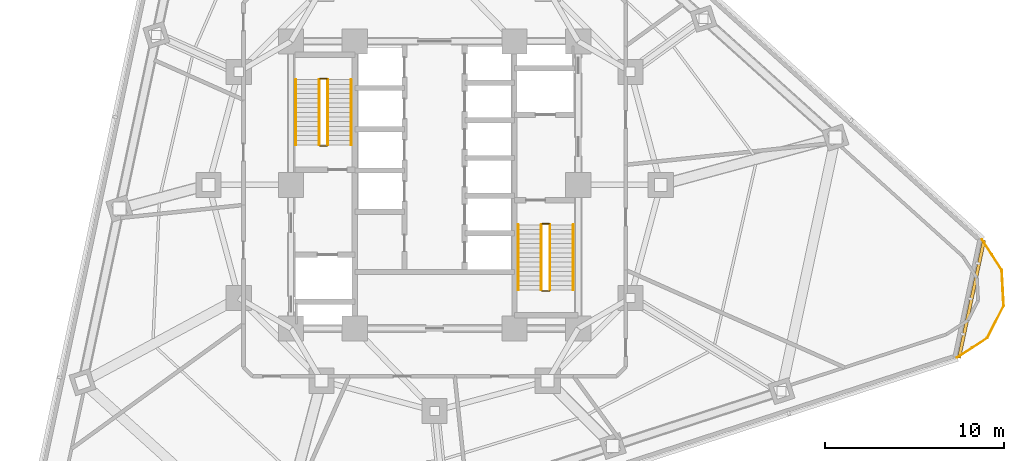
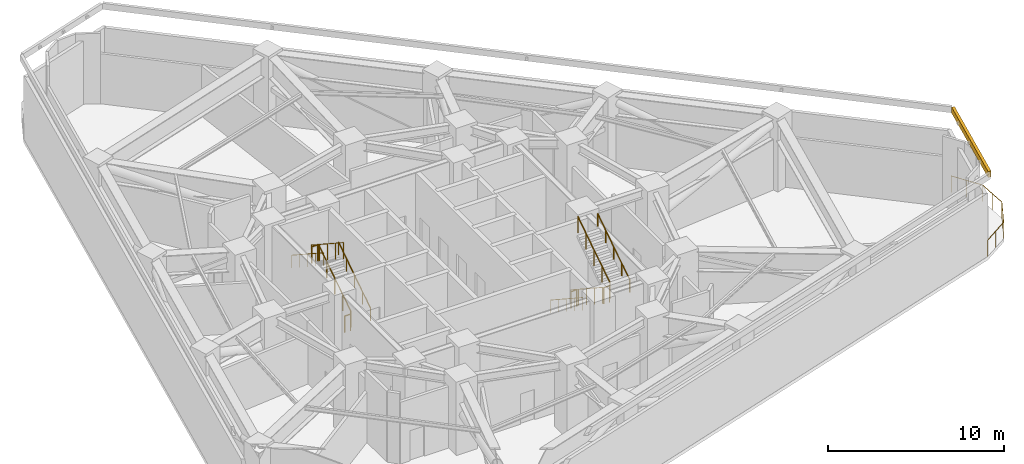
# One storey, part 9 of 10: 13 railings, 1 shading device.
"""IFC4 building model written with IfcOpenShell, lengths in metres."""

from ifc_helpers import new_model, si_unit, direction, frame, origin, origin_2d, place, context, subcontext, project, spatial, rectangle, circle, extrude, material, layer, layer_set, type_object, element, save


model = new_model("IFC4")

# Units and contexts
model_context = context("Model", 3, precision=1e-05, world=origin(), true_north=direction((0.0, 1.0)))
body_context = subcontext(model_context, "Body", "Model", "MODEL_VIEW")
ifc_project = project(units=[si_unit("LENGTHUNIT", "METRE"), si_unit("AREAUNIT", "SQUARE_METRE"), si_unit("VOLUMEUNIT", "CUBIC_METRE"), si_unit("PLANEANGLEUNIT", "RADIAN"), si_unit("MASSUNIT", "GRAM", prefix="KILO")], contexts=[model_context])

# Site, building, storey
site_placement = place(None, origin())
site = spatial("IfcSite", under=ifc_project, at=site_placement, CompositionType="ELEMENT")
building_placement = place(site_placement, origin())
building = spatial("IfcBuilding", under=site, at=building_placement, Name="Terralouvre Media Tower", CompositionType="ELEMENT")
storey_placement = place(building_placement, frame((0.0, 0.0, 85.199951171875)))
storey = spatial("IfcBuildingStorey", under=building, at=storey_placement, Name="L21", CompositionType="ELEMENT", Elevation=85.199951171875)

# Shading device
ifc_material_1 = material(Name="Extruded terracotta baguette sunshade louvres", Category="masonry")
shading_device_type = type_object("IfcShadingDeviceType", Name="Refuge Plant Acoustic Terracotta Louvre Grill TB-LV2", PredefinedType="JALOUSIE", material=ifc_material_1)
shading_device_placement = place(storey_placement, frame((29.915771484375, -6.35888671875, 5.486083984375), z_axis=(0.0, 0.0, 1.0), x_axis=(0.207911611348, 0.978147617626, 0.0)))
element("IfcShadingDevice", 1, at=shading_device_placement, inside=storey, type_object=shading_device_type, Name="CW-L21-C1 Refuge Acoustic Terracotta Louvre", PredefinedType="JALOUSIE", context=body_context, shape_type="SweptSolid", body=[
    extrude(rectangle(XDim=6.720458984375, YDim=0.179931640625, at=origin_2d()), origin(), (0.0, 0.0, 1.0), 0.419921875),
])

# Railings
ifc_material_2 = material(Name="Stainless steel 316 handrail and balustrade", Category="steel")
ifc_layer_1 = layer(ifc_material_2, 0.06005859375, Name="Roof Edge Safety Guardrail GR-ROOF1")
ifc_layer_set_1 = layer_set([ifc_layer_1], Name="Stainless steel 316 handrail and balustrade")
railing_type_1 = type_object("IfcRailingType", Name="Roof Edge Safety Guardrail GR-ROOF1", PredefinedType="GUARDRAIL", material=ifc_layer_set_1)
railing_1_placement = place(storey_placement, frame((29.105224609375, -9.6201171875, 0.0)))
element("IfcRailing", 2, at=railing_1_placement, inside=storey, type_object=railing_type_1, Name="L21 Wind-Corner Perimeter Safety Guardrail C1", PredefinedType="GUARDRAIL", context=body_context, shape_type="SweptSolid", body=[
    extrude(circle(Radius=0.02099609375, at=origin_2d()), frame((0.0, 0.0, 1.12890625), z_axis=(0.838760176544, 0.544501025016, 0.0), x_axis=(-0.544501025016, 0.838760176544, 0.0)), (0.0, 0.0, 1.0), 2.0078125),
    extrude(circle(Radius=0.02099609375, at=origin_2d()), frame((1.68408203125, 1.09326171875, 1.12890625), z_axis=(0.454107952828, 0.890946669099, 0.0), x_axis=(-0.890946669099, 0.454107952828, 0.0)), (0.0, 0.0, 1.0), 2.007568359375),
    extrude(circle(Radius=0.02099609375, at=origin_2d()), frame((2.595703125, 2.8818359375, 1.12890625), z_axis=(-0.052412032372, 0.998625544868, 0.0), x_axis=(-0.998625544868, -0.052412032372, 0.0)), (0.0, 0.0, 1.0), 2.007568359375),
    extrude(circle(Radius=0.02099609375, at=origin_2d()), frame((2.490478515625, 4.88671875, 1.12890625), z_axis=(-0.544868673015, 0.838521394579, 0.0), x_axis=(-0.838521394579, -0.544868673015, 0.0)), (0.0, 0.0, 1.0), 2.0078125),
    extrude(circle(Radius=0.01904296875, at=origin_2d()), origin(), (0.0, 0.0, 1.0), 1.10791015625),
    extrude(circle(Radius=0.01904296875, at=origin_2d()), frame((0.842041015625, 0.546630859375, 0.0)), (0.0, 0.0, 1.0), 1.10791015625),
    extrude(circle(Radius=0.01904296875, at=origin_2d()), frame((1.68408203125, 1.09326171875, 0.0)), (0.0, 0.0, 1.0), 1.10791015625),
    extrude(circle(Radius=0.01904296875, at=origin_2d()), frame((2.139892578125, 1.987548828125, 0.0)), (0.0, 0.0, 1.0), 1.10791015625),
    extrude(circle(Radius=0.01904296875, at=origin_2d()), frame((2.595703125, 2.8818359375, 0.0)), (0.0, 0.0, 1.0), 1.10791015625),
    extrude(circle(Radius=0.01904296875, at=origin_2d()), frame((2.54296875, 3.88427734375, 0.0)), (0.0, 0.0, 1.0), 1.10791015625),
    extrude(circle(Radius=0.01904296875, at=origin_2d()), frame((2.490478515625, 4.88671875, 0.0)), (0.0, 0.0, 1.0), 1.10791015625),
    extrude(circle(Radius=0.01904296875, at=origin_2d()), frame((1.943359375, 5.728515625, 0.0)), (0.0, 0.0, 1.0), 1.10791015625),
    extrude(circle(Radius=0.01904296875, at=origin_2d()), frame((1.396484375, 6.5703125, 0.0)), (0.0, 0.0, 1.0), 1.10791015625),
])
ifc_material_3 = material(Name="Stainless steel 316 handrail and balustrade", Category="steel")
ifc_layer_2 = layer(ifc_material_3, 0.050048828125, Name="Stair Flight Wall Handrail HR-INT1")
ifc_layer_set_2 = layer_set([ifc_layer_2], Name="Stainless steel 316 handrail and balustrade")
railing_type_2 = type_object("IfcRailingType", Name="Stair Flight Wall Handrail HR-INT1", PredefinedType="HANDRAIL", material=ifc_layer_set_2)
railing_2_placement = place(storey_placement, frame((-4.64990234375, 2.219970703125, 0.170166015625)))
element("IfcRailing", 3, at=railing_2_placement, inside=storey, type_object=railing_type_2, Name="L21 ST-01 stair handrail 1", PredefinedType="HANDRAIL", context=body_context, shape_type="SweptSolid", body=[
    extrude(circle(Radius=0.02392578125, at=origin_2d()), frame((0.0, 0.0, 0.8759765625), z_axis=(0.0, 0.836991369742, 0.547216088011), x_axis=(-1.0, 0.0, 0.0)), (0.0, 0.0, 1.0), 4.34912109375),
    extrude(circle(Radius=0.02099609375, at=origin_2d()), origin(), (0.0, 0.0, 1.0), 0.851806640625),
    extrude(circle(Radius=0.02099609375, at=origin_2d()), frame((0.0, 0.91015625, 0.594970703125)), (0.0, 0.0, 1.0), 0.851806640625),
    extrude(circle(Radius=0.02099609375, at=origin_2d()), frame((0.0, 1.820068359375, 1.18994140625)), (0.0, 0.0, 1.0), 0.851806640625),
    extrude(circle(Radius=0.02099609375, at=origin_2d()), frame((0.0, 2.72998046875, 1.784912109375)), (0.0, 0.0, 1.0), 0.851806640625),
    extrude(circle(Radius=0.02099609375, at=origin_2d()), frame((0.0, 3.64013671875, 2.3798828125)), (0.0, 0.0, 1.0), 0.851806640625),
])
railing_3_placement = place(storey_placement, frame((-7.72998046875, 5.860107421875, 2.719970703125)))
element("IfcRailing", 4, at=railing_3_placement, inside=storey, type_object=railing_type_2, Name="L21 ST-01 stair handrail 2", PredefinedType="HANDRAIL", context=body_context, shape_type="SweptSolid", body=[
    extrude(circle(Radius=0.02392578125, at=origin_2d()), frame((0.0, 0.0, 0.8759765625), z_axis=(0.0, -0.836965658359, 0.547255412699), x_axis=(1.0, 0.0, 0.0)), (0.0, 0.0, 1.0), 4.34912109375),
    extrude(circle(Radius=0.02099609375, at=origin_2d()), origin(), (0.0, 0.0, 1.0), 0.851806640625),
    extrude(circle(Radius=0.02099609375, at=origin_2d()), frame((0.0, -0.91015625, 0.594970703125)), (0.0, 0.0, 1.0), 0.851806640625),
    extrude(circle(Radius=0.02099609375, at=origin_2d()), frame((0.0, -1.820068359375, 1.18994140625)), (0.0, 0.0, 1.0), 0.851806640625),
    extrude(circle(Radius=0.02099609375, at=origin_2d()), frame((0.0, -2.72998046875, 1.78515625)), (0.0, 0.0, 1.0), 0.851806640625),
    extrude(circle(Radius=0.02099609375, at=origin_2d()), frame((0.0, -3.64013671875, 2.380126953125)), (0.0, 0.0, 1.0), 0.851806640625),
])
railing_4_placement = place(storey_placement, frame((4.64990234375, -2.219970703125, 0.170166015625)))
element("IfcRailing", 5, at=railing_4_placement, inside=storey, type_object=railing_type_2, Name="L21 ST-02 stair handrail 1", PredefinedType="HANDRAIL", context=body_context, shape_type="SweptSolid", body=[
    extrude(circle(Radius=0.02392578125, at=origin_2d()), frame((0.0, 0.0, 0.8759765625), z_axis=(0.0, -0.836991369742, 0.547216088011), x_axis=(1.0, 0.0, 0.0)), (0.0, 0.0, 1.0), 4.34912109375),
    extrude(circle(Radius=0.02099609375, at=origin_2d()), origin(), (0.0, 0.0, 1.0), 0.851806640625),
    extrude(circle(Radius=0.02099609375, at=origin_2d()), frame((0.0, -0.91015625, 0.594970703125)), (0.0, 0.0, 1.0), 0.851806640625),
    extrude(circle(Radius=0.02099609375, at=origin_2d()), frame((0.0, -1.820068359375, 1.18994140625)), (0.0, 0.0, 1.0), 0.851806640625),
    extrude(circle(Radius=0.02099609375, at=origin_2d()), frame((0.0, -2.72998046875, 1.784912109375)), (0.0, 0.0, 1.0), 0.851806640625),
    extrude(circle(Radius=0.02099609375, at=origin_2d()), frame((0.0, -3.64013671875, 2.3798828125)), (0.0, 0.0, 1.0), 0.851806640625),
])
railing_5_placement = place(storey_placement, frame((7.72998046875, -5.860107421875, 2.719970703125)))
element("IfcRailing", 6, at=railing_5_placement, inside=storey, type_object=railing_type_2, Name="L21 ST-02 stair handrail 2", PredefinedType="HANDRAIL", context=body_context, shape_type="SweptSolid", body=[
    extrude(circle(Radius=0.02392578125, at=origin_2d()), frame((0.0, 0.0, 0.8759765625), z_axis=(0.0, 0.836965658359, 0.547255412699), x_axis=(-1.0, 0.0, 0.0)), (0.0, 0.0, 1.0), 4.34912109375),
    extrude(circle(Radius=0.02099609375, at=origin_2d()), origin(), (0.0, 0.0, 1.0), 0.851806640625),
    extrude(circle(Radius=0.02099609375, at=origin_2d()), frame((0.0, 0.91015625, 0.594970703125)), (0.0, 0.0, 1.0), 0.851806640625),
    extrude(circle(Radius=0.02099609375, at=origin_2d()), frame((0.0, 1.820068359375, 1.18994140625)), (0.0, 0.0, 1.0), 0.851806640625),
    extrude(circle(Radius=0.02099609375, at=origin_2d()), frame((0.0, 2.72998046875, 1.78515625)), (0.0, 0.0, 1.0), 0.851806640625),
    extrude(circle(Radius=0.02099609375, at=origin_2d()), frame((0.0, 3.64013671875, 2.380126953125)), (0.0, 0.0, 1.0), 0.851806640625),
])
ifc_material_4 = material(Name="Stainless steel 316 handrail and balustrade", Category="steel")
ifc_layer_3 = layer(ifc_material_4, 0.050048828125, Name="Stairwell Safety Guardrail GR-INT1")
ifc_layer_set_3 = layer_set([ifc_layer_3], Name="Stainless steel 316 handrail and balustrade")
railing_type_3 = type_object("IfcRailingType", Name="Stairwell Safety Guardrail GR-INT1", PredefinedType="GUARDRAIL", material=ifc_layer_set_3)
railing_6_placement = place(storey_placement, frame((-5.949951171875, 2.219970703125, 0.170166015625)))
element("IfcRailing", 7, at=railing_6_placement, inside=storey, type_object=railing_type_3, Name="L21 ST-01 stair guard 1", PredefinedType="GUARDRAIL", context=body_context, shape_type="SweptSolid", body=[
    extrude(circle(Radius=0.02392578125, at=origin_2d()), frame((0.0, 0.0, 1.1259765625), z_axis=(0.0, 0.836991369742, 0.547216088011), x_axis=(-1.0, 0.0, 0.0)), (0.0, 0.0, 1.0), 4.34912109375),
    extrude(circle(Radius=0.02099609375, at=origin_2d()), origin(), (0.0, 0.0, 1.0), 1.101806640625),
    extrude(circle(Radius=0.02099609375, at=origin_2d()), frame((0.0, 0.91015625, 0.594970703125)), (0.0, 0.0, 1.0), 1.101806640625),
    extrude(circle(Radius=0.02099609375, at=origin_2d()), frame((0.0, 1.820068359375, 1.18994140625)), (0.0, 0.0, 1.0), 1.101806640625),
    extrude(circle(Radius=0.02099609375, at=origin_2d()), frame((0.0, 2.72998046875, 1.784912109375)), (0.0, 0.0, 1.0), 1.101806640625),
    extrude(circle(Radius=0.02099609375, at=origin_2d()), frame((0.0, 3.64013671875, 2.3798828125)), (0.0, 0.0, 1.0), 1.101806640625),
])
railing_7_placement = place(storey_placement, frame((-6.0, 5.909912109375, 2.550048828125)))
element("IfcRailing", 8, at=railing_7_placement, inside=storey, type_object=railing_type_3, Name="L21 ST-01 stair guard 2", PredefinedType="GUARDRAIL", context=body_context, shape_type="SweptSolid", body=[
    extrude(circle(Radius=0.02392578125, at=origin_2d()), frame((0.0, 0.0, 1.1259765625), z_axis=(-1.0, 0.0, 0.0), x_axis=(0.0, -1.0, 0.0)), (0.0, 0.0, 1.0), 0.3798828125),
    extrude(circle(Radius=0.02099609375, at=origin_2d()), origin(), (0.0, 0.0, 1.0), 1.101806640625),
    extrude(circle(Radius=0.02099609375, at=origin_2d()), frame((-0.3798828125, 0.0, 0.0)), (0.0, 0.0, 1.0), 1.101806640625),
])
railing_8_placement = place(storey_placement, frame((-6.429931640625, 5.860107421875, 2.719970703125)))
element("IfcRailing", 9, at=railing_8_placement, inside=storey, type_object=railing_type_3, Name="L21 ST-01 stair guard 3", PredefinedType="GUARDRAIL", context=body_context, shape_type="SweptSolid", body=[
    extrude(circle(Radius=0.02392578125, at=origin_2d()), frame((0.0, 0.0, 1.1259765625), z_axis=(0.0, -0.836965658359, 0.547255412699), x_axis=(1.0, 0.0, 0.0)), (0.0, 0.0, 1.0), 4.34912109375),
    extrude(circle(Radius=0.02099609375, at=origin_2d()), origin(), (0.0, 0.0, 1.0), 1.101806640625),
    extrude(circle(Radius=0.02099609375, at=origin_2d()), frame((0.0, -0.91015625, 0.594970703125)), (0.0, 0.0, 1.0), 1.101806640625),
    extrude(circle(Radius=0.02099609375, at=origin_2d()), frame((0.0, -1.820068359375, 1.18994140625)), (0.0, 0.0, 1.0), 1.101806640625),
    extrude(circle(Radius=0.02099609375, at=origin_2d()), frame((0.0, -2.72998046875, 1.78515625)), (0.0, 0.0, 1.0), 1.101806640625),
    extrude(circle(Radius=0.02099609375, at=origin_2d()), frame((0.0, -3.64013671875, 2.380126953125)), (0.0, 0.0, 1.0), 1.101806640625),
])
railing_9_placement = place(storey_placement, frame((-6.0, 2.169921875, 0.0)))
element("IfcRailing", 10, at=railing_9_placement, inside=storey, type_object=railing_type_3, Name="L21 ST-01 stair guard 4", PredefinedType="GUARDRAIL", context=body_context, shape_type="SweptSolid", body=[
    extrude(circle(Radius=0.02392578125, at=origin_2d()), frame((0.0, 0.0, 1.1259765625), z_axis=(-1.0, 0.0, 0.0), x_axis=(0.0, -1.0, 0.0)), (0.0, 0.0, 1.0), 0.3798828125),
    extrude(circle(Radius=0.02099609375, at=origin_2d()), origin(), (0.0, 0.0, 1.0), 1.101806640625),
    extrude(circle(Radius=0.02099609375, at=origin_2d()), frame((-0.3798828125, 0.0, 0.0)), (0.0, 0.0, 1.0), 1.101806640625),
])
railing_10_placement = place(storey_placement, frame((5.949951171875, -2.219970703125, 0.170166015625)))
element("IfcRailing", 11, at=railing_10_placement, inside=storey, type_object=railing_type_3, Name="L21 ST-02 stair guard 1", PredefinedType="GUARDRAIL", context=body_context, shape_type="SweptSolid", body=[
    extrude(circle(Radius=0.02392578125, at=origin_2d()), frame((0.0, 0.0, 1.1259765625), z_axis=(0.0, -0.836991369742, 0.547216088011), x_axis=(1.0, 0.0, 0.0)), (0.0, 0.0, 1.0), 4.34912109375),
    extrude(circle(Radius=0.02099609375, at=origin_2d()), origin(), (0.0, 0.0, 1.0), 1.101806640625),
    extrude(circle(Radius=0.02099609375, at=origin_2d()), frame((0.0, -0.91015625, 0.594970703125)), (0.0, 0.0, 1.0), 1.101806640625),
    extrude(circle(Radius=0.02099609375, at=origin_2d()), frame((0.0, -1.820068359375, 1.18994140625)), (0.0, 0.0, 1.0), 1.101806640625),
    extrude(circle(Radius=0.02099609375, at=origin_2d()), frame((0.0, -2.72998046875, 1.784912109375)), (0.0, 0.0, 1.0), 1.101806640625),
    extrude(circle(Radius=0.02099609375, at=origin_2d()), frame((0.0, -3.64013671875, 2.3798828125)), (0.0, 0.0, 1.0), 1.101806640625),
])
railing_11_placement = place(storey_placement, frame((6.0, -5.909912109375, 2.550048828125)))
element("IfcRailing", 12, at=railing_11_placement, inside=storey, type_object=railing_type_3, Name="L21 ST-02 stair guard 2", PredefinedType="GUARDRAIL", context=body_context, shape_type="SweptSolid", body=[
    extrude(circle(Radius=0.02392578125, at=origin_2d()), frame((0.0, 0.0, 1.1259765625), z_axis=(1.0, 0.0, 0.0), x_axis=(0.0, 1.0, 0.0)), (0.0, 0.0, 1.0), 0.3798828125),
    extrude(circle(Radius=0.02099609375, at=origin_2d()), origin(), (0.0, 0.0, 1.0), 1.101806640625),
    extrude(circle(Radius=0.02099609375, at=origin_2d()), frame((0.3798828125, 0.0, 0.0)), (0.0, 0.0, 1.0), 1.101806640625),
])
railing_12_placement = place(storey_placement, frame((6.429931640625, -5.860107421875, 2.719970703125)))
element("IfcRailing", 13, at=railing_12_placement, inside=storey, type_object=railing_type_3, Name="L21 ST-02 stair guard 3", PredefinedType="GUARDRAIL", context=body_context, shape_type="SweptSolid", body=[
    extrude(circle(Radius=0.02392578125, at=origin_2d()), frame((0.0, 0.0, 1.1259765625), z_axis=(0.0, 0.836965658359, 0.547255412699), x_axis=(-1.0, 0.0, 0.0)), (0.0, 0.0, 1.0), 4.34912109375),
    extrude(circle(Radius=0.02099609375, at=origin_2d()), origin(), (0.0, 0.0, 1.0), 1.101806640625),
    extrude(circle(Radius=0.02099609375, at=origin_2d()), frame((0.0, 0.91015625, 0.594970703125)), (0.0, 0.0, 1.0), 1.101806640625),
    extrude(circle(Radius=0.02099609375, at=origin_2d()), frame((0.0, 1.820068359375, 1.18994140625)), (0.0, 0.0, 1.0), 1.101806640625),
    extrude(circle(Radius=0.02099609375, at=origin_2d()), frame((0.0, 2.72998046875, 1.78515625)), (0.0, 0.0, 1.0), 1.101806640625),
    extrude(circle(Radius=0.02099609375, at=origin_2d()), frame((0.0, 3.64013671875, 2.380126953125)), (0.0, 0.0, 1.0), 1.101806640625),
])
railing_13_placement = place(storey_placement, frame((6.0, -2.169921875, 0.0)))
element("IfcRailing", 14, at=railing_13_placement, inside=storey, type_object=railing_type_3, Name="L21 ST-02 stair guard 4", PredefinedType="GUARDRAIL", context=body_context, shape_type="SweptSolid", body=[
    extrude(circle(Radius=0.02392578125, at=origin_2d()), frame((0.0, 0.0, 1.1259765625), z_axis=(1.0, 0.0, 0.0), x_axis=(0.0, 1.0, 0.0)), (0.0, 0.0, 1.0), 0.3798828125),
    extrude(circle(Radius=0.02099609375, at=origin_2d()), origin(), (0.0, 0.0, 1.0), 1.101806640625),
    extrude(circle(Radius=0.02099609375, at=origin_2d()), frame((0.3798828125, 0.0, 0.0)), (0.0, 0.0, 1.0), 1.101806640625),
])

save(model, "model.ifc")
